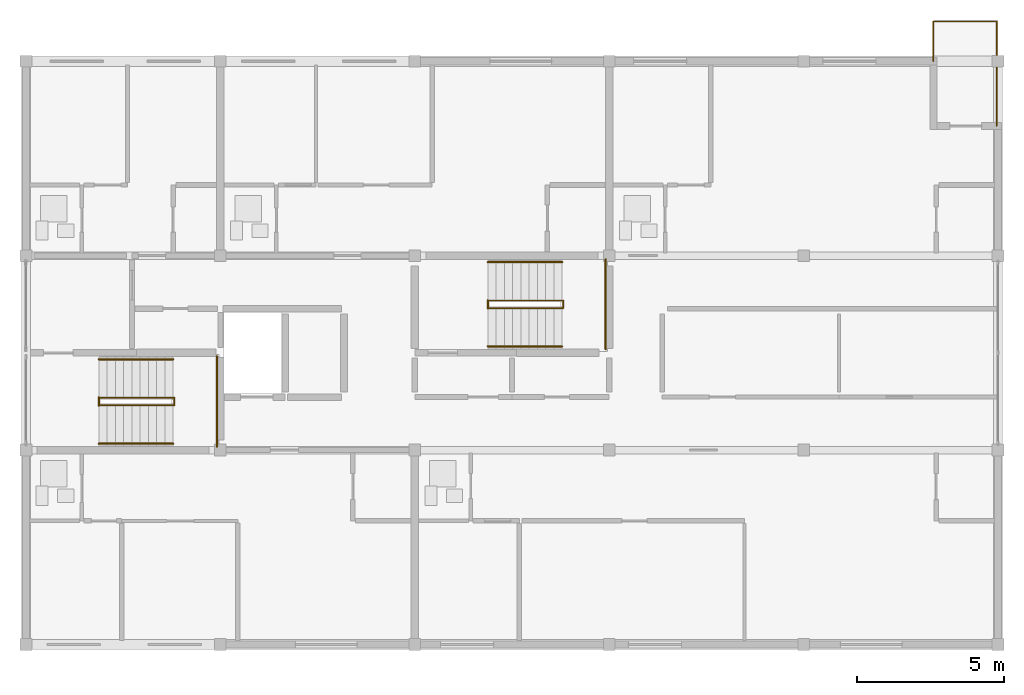
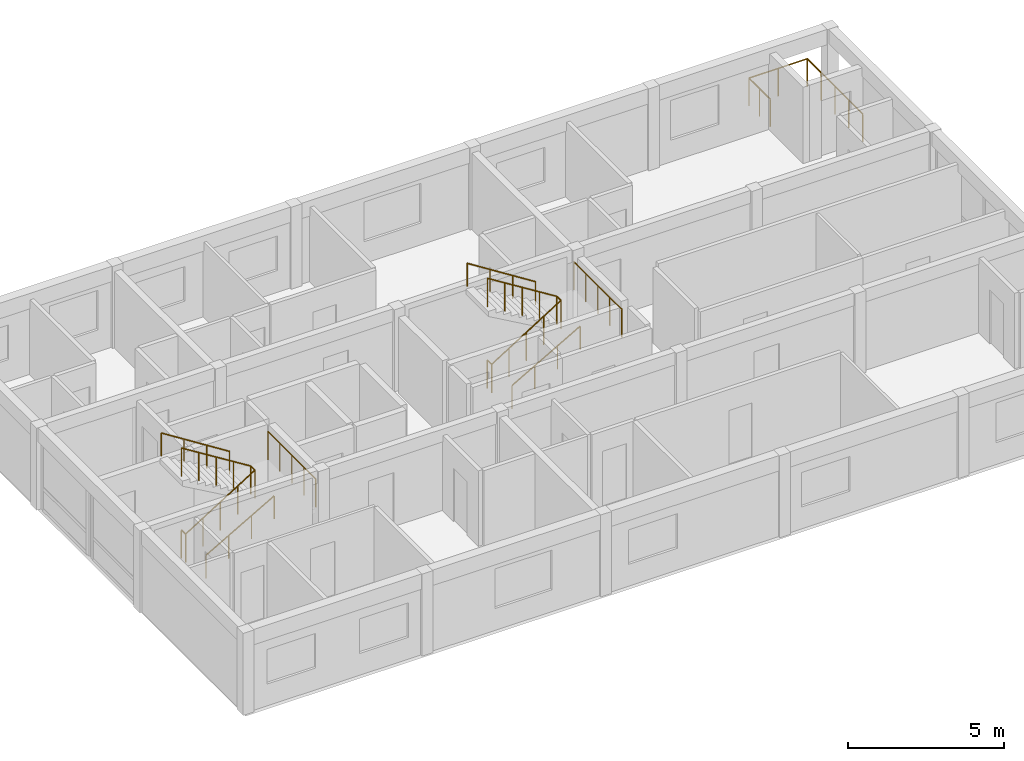
# One storey, part 11 of 12: 11 railings.
"""IFC4 building model written with IfcOpenShell, lengths in metres."""

from ifc_helpers import new_model, si_unit, direction, frame, origin, origin_2d, place, context, subcontext, project, spatial, circle, extrude, material, type_object, element, save


model = new_model("IFC4")

# Units and contexts
model_context = context("Model", 3, precision=1e-05, world=origin(), true_north=direction((0.0, 1.0)))
body_context = subcontext(model_context, "Body", "Model", "MODEL_VIEW")
ifc_project = project(units=[si_unit("LENGTHUNIT", "METRE"), si_unit("AREAUNIT", "SQUARE_METRE"), si_unit("VOLUMEUNIT", "CUBIC_METRE"), si_unit("PLANEANGLEUNIT", "RADIAN"), si_unit("MASSUNIT", "GRAM", prefix="KILO")], contexts=[model_context])

# Site, building, storey
site_placement = place(None, origin())
site = spatial("IfcSite", under=ifc_project, at=site_placement, CompositionType="ELEMENT")
building_placement = place(site_placement, origin())
building = spatial("IfcBuilding", under=site, at=building_placement, Name="Kernevlak Ridge Housing Community", CompositionType="ELEMENT")
storey_placement = place(building_placement, frame((0.0, 0.0, 53.199951171875)))
storey = spatial("IfcBuildingStorey", under=building, at=storey_placement, Name="L16", CompositionType="ELEMENT", Elevation=53.199951171875)

# Railings
ifc_material_1 = material(Name="Steel S355", Category="steel")
railing_type_1 = type_object("IfcRailingType", Name="BL-01", PredefinedType="BALUSTRADE", material=ifc_material_1)
railing_1_placement = place(storey_placement, frame((46.39990234375, 95.800048828125, 0.0)))
element("IfcRailing", 1, at=railing_1_placement, inside=storey, type_object=railing_type_1, Name="Block A L16 balcony balustrade BL-01 16", PredefinedType="BALUSTRADE", context=body_context, shape_type="SweptSolid", body=[
    extrude(circle(Radius=0.02392578125, at=origin_2d()), frame((0.0, 0.0, 1.076171875), z_axis=(0.0, 1.0, 0.0), x_axis=(-1.0, 0.0, 0.0)), (0.0, 0.0, 1.0), 1.349853515625),
    extrude(circle(Radius=0.02392578125, at=origin_2d()), frame((0.0, 1.349853515625, 1.076171875), z_axis=(1.0, 0.0, 0.0), x_axis=(0.0, 1.0, 0.0)), (0.0, 0.0, 1.0), 2.150146484375),
    extrude(circle(Radius=0.02392578125, at=origin_2d()), frame((2.150146484375, 1.349853515625, 1.076171875), z_axis=(0.0, -1.0, 0.0), x_axis=(1.0, 0.0, 0.0)), (0.0, 0.0, 1.0), 3.5498046875),
    extrude(circle(Radius=0.02099609375, at=origin_2d()), origin(), (0.0, 0.0, 1.0), 1.052001953125),
    extrude(circle(Radius=0.02099609375, at=origin_2d()), frame((0.0, 0.6748046875, 0.0)), (0.0, 0.0, 1.0), 1.052001953125),
    extrude(circle(Radius=0.02099609375, at=origin_2d()), frame((0.0, 1.349853515625, 0.0)), (0.0, 0.0, 1.0), 1.052001953125),
    extrude(circle(Radius=0.02099609375, at=origin_2d()), frame((1.0751953125, 1.349853515625, 0.0)), (0.0, 0.0, 1.0), 1.052001953125),
    extrude(circle(Radius=0.02099609375, at=origin_2d()), frame((2.150146484375, 1.349853515625, 0.0)), (0.0, 0.0, 1.0), 1.052001953125),
    extrude(circle(Radius=0.02099609375, at=origin_2d()), frame((2.150146484375, 0.46240234375, 0.0)), (0.0, 0.0, 1.0), 1.052001953125),
    extrude(circle(Radius=0.02099609375, at=origin_2d()), frame((2.150146484375, -0.425048828125, 0.0)), (0.0, 0.0, 1.0), 1.052001953125),
    extrude(circle(Radius=0.02099609375, at=origin_2d()), frame((2.150146484375, -1.3125, 0.0)), (0.0, 0.0, 1.0), 1.052001953125),
    extrude(circle(Radius=0.02099609375, at=origin_2d()), frame((2.150146484375, -2.199951171875, 0.0)), (0.0, 0.0, 1.0), 1.052001953125),
])
railing_type_2 = type_object("IfcRailingType", Name="GR-02", PredefinedType="GUARDRAIL", material=ifc_material_1)
railing_2_placement = place(storey_placement, frame((18.080078125, 84.110107421875, 0.0)))
element("IfcRailing", 2, at=railing_2_placement, inside=storey, type_object=railing_type_2, Name="Stair ST-A1 L16 well slot guard", PredefinedType="GUARDRAIL", context=body_context, shape_type="SweptSolid", body=[
    extrude(circle(Radius=0.02392578125, at=origin_2d()), frame((0.0, 0.0, 1.09619140625), z_axis=(0.0, 1.0, 0.0), x_axis=(-1.0, 0.0, 0.0)), (0.0, 0.0, 1.0), 0.27978515625),
    extrude(circle(Radius=0.02099609375, at=origin_2d()), origin(), (0.0, 0.0, 1.0), 1.072021484375),
    extrude(circle(Radius=0.02099609375, at=origin_2d()), frame((0.0, 0.27978515625, 0.0)), (0.0, 0.0, 1.0), 1.072021484375),
])
railing_3_placement = place(storey_placement, frame((18.080078125, 84.1201171875, 0.0)))
element("IfcRailing", 3, at=railing_3_placement, inside=storey, type_object=railing_type_2, Name="Stair ST-A1 L16 inner well guardrail", PredefinedType="GUARDRAIL", context=body_context, shape_type="SweptSolid", body=[
    extrude(circle(Radius=0.02392578125, at=origin_2d()), frame((0.0, 0.0, 1.09619140625), z_axis=(0.847966497998, 0.0, 0.530049826217), x_axis=(0.0, 1.0, 0.0)), (0.0, 0.0, 1.0), 3.018798828125),
    extrude(circle(Radius=0.02392578125, at=origin_2d()), frame((2.559814453125, 0.0, 2.6962890625), z_axis=(0.0, 1.0, 0.0), x_axis=(-1.0, 0.0, 0.0)), (0.0, 0.0, 1.0), 0.259765625),
    extrude(circle(Radius=0.02392578125, at=origin_2d()), frame((2.559814453125, 0.259765625, 2.6962890625), z_axis=(-0.848002847666, 0.0, 0.529991670077), x_axis=(0.0, -1.0, 0.0)), (0.0, 0.0, 1.0), 3.0185546875),
    extrude(circle(Radius=0.02099609375, at=origin_2d()), origin(), (0.0, 0.0, 1.0), 1.072021484375),
    extrude(circle(Radius=0.02099609375, at=origin_2d()), frame((0.639892578125, 0.0, 0.39990234375)), (0.0, 0.0, 1.0), 1.072021484375),
    extrude(circle(Radius=0.02099609375, at=origin_2d()), frame((1.27978515625, 0.0, 0.800048828125)), (0.0, 0.0, 1.0), 1.072021484375),
    extrude(circle(Radius=0.02099609375, at=origin_2d()), frame((1.919921875, 0.0, 1.2001953125)), (0.0, 0.0, 1.0), 1.072021484375),
    extrude(circle(Radius=0.02099609375, at=origin_2d()), frame((2.559814453125, 0.0, 1.60009765625)), (0.0, 0.0, 1.0), 1.072021484375),
    extrude(circle(Radius=0.02099609375, at=origin_2d()), frame((2.559814453125, 0.259765625, 1.60009765625)), (0.0, 0.0, 1.0), 1.072021484375),
    extrude(circle(Radius=0.02099609375, at=origin_2d()), frame((1.919921875, 0.259765625, 2.0)), (0.0, 0.0, 1.0), 1.072021484375),
    extrude(circle(Radius=0.02099609375, at=origin_2d()), frame((1.27978515625, 0.259765625, 2.39990234375)), (0.0, 0.0, 1.0), 1.072021484375),
    extrude(circle(Radius=0.02099609375, at=origin_2d()), frame((0.639892578125, 0.259765625, 2.800048828125)), (0.0, 0.0, 1.0), 1.072021484375),
    extrude(circle(Radius=0.02099609375, at=origin_2d()), frame((0.0, 0.259765625, 3.199951171875)), (0.0, 0.0, 1.0), 1.072021484375),
])
railing_4_placement = place(storey_placement, frame((22.080078125, 82.719970703125, 1.60009765625)))
element("IfcRailing", 4, at=railing_4_placement, inside=storey, type_object=railing_type_2, Name="Stair ST-A1 L16 half-landing guard", PredefinedType="GUARDRAIL", context=body_context, shape_type="SweptSolid", body=[
    extrude(circle(Radius=0.02392578125, at=origin_2d()), frame((0.0, 0.0, 1.09619140625), z_axis=(0.0, 1.0, 0.0), x_axis=(-1.0, 0.0, 0.0)), (0.0, 0.0, 1.0), 3.06005859375),
    extrude(circle(Radius=0.02099609375, at=origin_2d()), origin(), (0.0, 0.0, 1.0), 1.072021484375),
    extrude(circle(Radius=0.02099609375, at=origin_2d()), frame((0.0, 0.76513671875, 0.0)), (0.0, 0.0, 1.0), 1.072021484375),
    extrude(circle(Radius=0.02099609375, at=origin_2d()), frame((0.0, 1.530029296875, 0.0)), (0.0, 0.0, 1.0), 1.072021484375),
    extrude(circle(Radius=0.02099609375, at=origin_2d()), frame((0.0, 2.294921875, 0.0)), (0.0, 0.0, 1.0), 1.072021484375),
    extrude(circle(Radius=0.02099609375, at=origin_2d()), frame((0.0, 3.06005859375, 0.0)), (0.0, 0.0, 1.0), 1.072021484375),
])
railing_5_placement = place(storey_placement, frame((31.280029296875, 87.409912109375, 0.0)))
element("IfcRailing", 5, at=railing_5_placement, inside=storey, type_object=railing_type_2, Name="Stair ST-A2 L16 well slot guard", PredefinedType="GUARDRAIL", context=body_context, shape_type="SweptSolid", body=[
    extrude(circle(Radius=0.02392578125, at=origin_2d()), frame((0.0, 0.0, 1.09619140625), z_axis=(0.0, 1.0, 0.0), x_axis=(-1.0, 0.0, 0.0)), (0.0, 0.0, 1.0), 0.280029296875),
    extrude(circle(Radius=0.02099609375, at=origin_2d()), origin(), (0.0, 0.0, 1.0), 1.072021484375),
    extrude(circle(Radius=0.02099609375, at=origin_2d()), frame((0.0, 0.280029296875, 0.0)), (0.0, 0.0, 1.0), 1.072021484375),
])
railing_6_placement = place(storey_placement, frame((31.280029296875, 87.419921875, 0.0)))
element("IfcRailing", 6, at=railing_6_placement, inside=storey, type_object=railing_type_2, Name="Stair ST-A2 L16 inner well guardrail", PredefinedType="GUARDRAIL", context=body_context, shape_type="SweptSolid", body=[
    extrude(circle(Radius=0.02392578125, at=origin_2d()), frame((0.0, 0.0, 1.09619140625), z_axis=(0.847989217509, 0.0, 0.530013478119), x_axis=(0.0, 1.0, 0.0)), (0.0, 0.0, 1.0), 3.01904296875),
    extrude(circle(Radius=0.02392578125, at=origin_2d()), frame((2.56005859375, 0.0, 2.6962890625), z_axis=(0.0, 1.0, 0.0), x_axis=(-1.0, 0.0, 0.0)), (0.0, 0.0, 1.0), 0.260009765625),
    extrude(circle(Radius=0.02392578125, at=origin_2d()), frame((2.56005859375, 0.260009765625, 2.6962890625), z_axis=(-0.848025563165, 0.0, 0.529955322851), x_axis=(0.0, -1.0, 0.0)), (0.0, 0.0, 1.0), 3.018798828125),
    extrude(circle(Radius=0.02099609375, at=origin_2d()), origin(), (0.0, 0.0, 1.0), 1.072021484375),
    extrude(circle(Radius=0.02099609375, at=origin_2d()), frame((0.64013671875, 0.0, 0.39990234375)), (0.0, 0.0, 1.0), 1.072021484375),
    extrude(circle(Radius=0.02099609375, at=origin_2d()), frame((1.280029296875, 0.0, 0.800048828125)), (0.0, 0.0, 1.0), 1.072021484375),
    extrude(circle(Radius=0.02099609375, at=origin_2d()), frame((1.919921875, 0.0, 1.2001953125)), (0.0, 0.0, 1.0), 1.072021484375),
    extrude(circle(Radius=0.02099609375, at=origin_2d()), frame((2.56005859375, 0.0, 1.60009765625)), (0.0, 0.0, 1.0), 1.072021484375),
    extrude(circle(Radius=0.02099609375, at=origin_2d()), frame((2.56005859375, 0.260009765625, 1.60009765625)), (0.0, 0.0, 1.0), 1.072021484375),
    extrude(circle(Radius=0.02099609375, at=origin_2d()), frame((1.919921875, 0.260009765625, 2.0)), (0.0, 0.0, 1.0), 1.072021484375),
    extrude(circle(Radius=0.02099609375, at=origin_2d()), frame((1.280029296875, 0.260009765625, 2.39990234375)), (0.0, 0.0, 1.0), 1.072021484375),
    extrude(circle(Radius=0.02099609375, at=origin_2d()), frame((0.64013671875, 0.260009765625, 2.800048828125)), (0.0, 0.0, 1.0), 1.072021484375),
    extrude(circle(Radius=0.02099609375, at=origin_2d()), frame((0.0, 0.260009765625, 3.199951171875)), (0.0, 0.0, 1.0), 1.072021484375),
])
railing_7_placement = place(storey_placement, frame((35.280029296875, 86.02001953125, 1.60009765625)))
element("IfcRailing", 7, at=railing_7_placement, inside=storey, type_object=railing_type_2, Name="Stair ST-A2 L16 half-landing guard", PredefinedType="GUARDRAIL", context=body_context, shape_type="SweptSolid", body=[
    extrude(circle(Radius=0.02392578125, at=origin_2d()), frame((0.0, 0.0, 1.09619140625), z_axis=(0.0, 1.0, 0.0), x_axis=(-1.0, 0.0, 0.0)), (0.0, 0.0, 1.0), 3.06005859375),
    extrude(circle(Radius=0.02099609375, at=origin_2d()), origin(), (0.0, 0.0, 1.0), 1.072021484375),
    extrude(circle(Radius=0.02099609375, at=origin_2d()), frame((0.0, 0.76513671875, 0.0)), (0.0, 0.0, 1.0), 1.072021484375),
    extrude(circle(Radius=0.02099609375, at=origin_2d()), frame((0.0, 1.530029296875, 0.0)), (0.0, 0.0, 1.0), 1.072021484375),
    extrude(circle(Radius=0.02099609375, at=origin_2d()), frame((0.0, 2.294921875, 0.0)), (0.0, 0.0, 1.0), 1.072021484375),
    extrude(circle(Radius=0.02099609375, at=origin_2d()), frame((0.0, 3.06005859375, 0.0)), (0.0, 0.0, 1.0), 1.072021484375),
])
ifc_material_2 = material(Name="Stainless steel EN 1.4401", Category="steel")
railing_type_3 = type_object("IfcRailingType", Name="HR-01", PredefinedType="HANDRAIL", material=ifc_material_2)
railing_8_placement = place(storey_placement, frame((18.080078125, 82.820068359375, 0.16015625)))
element("IfcRailing", 8, at=railing_8_placement, inside=storey, type_object=railing_type_3, Name="Stair ST-A1 L16 flight 1 handrail", PredefinedType="HANDRAIL", context=body_context, shape_type="SweptSolid", body=[
    extrude(circle(Radius=0.02392578125, at=origin_2d()), frame((0.0, 0.0, 0.89599609375), z_axis=(0.868253494771, 0.0, 0.496120820787), x_axis=(0.0, 1.0, 0.0)), (0.0, 0.0, 1.0), 2.90234375),
    extrude(circle(Radius=0.02099609375, at=origin_2d()), origin(), (0.0, 0.0, 1.0), 0.871826171875),
    extrude(circle(Radius=0.02099609375, at=origin_2d()), frame((0.840087890625, 0.0, 0.47998046875)), (0.0, 0.0, 1.0), 0.871826171875),
    extrude(circle(Radius=0.02099609375, at=origin_2d()), frame((1.679931640625, 0.0, 0.9599609375)), (0.0, 0.0, 1.0), 0.871826171875),
    extrude(circle(Radius=0.02099609375, at=origin_2d()), frame((2.52001953125, 0.0, 1.43994140625)), (0.0, 0.0, 1.0), 0.871826171875),
])
railing_9_placement = place(storey_placement, frame((20.60009765625, 85.679931640625, 1.60009765625)))
element("IfcRailing", 9, at=railing_9_placement, inside=storey, type_object=railing_type_3, Name="Stair ST-A1 L16 flight 2 handrail", PredefinedType="HANDRAIL", context=body_context, shape_type="SweptSolid", body=[
    extrude(circle(Radius=0.02392578125, at=origin_2d()), frame((0.0, 0.0, 0.89599609375), z_axis=(-0.84423690053, 0.0, 0.535970200462), x_axis=(0.0, -1.0, 0.0)), (0.0, 0.0, 1.0), 2.98486328125),
    extrude(circle(Radius=0.02099609375, at=origin_2d()), origin(), (0.0, 0.0, 1.0), 0.871826171875),
    extrude(circle(Radius=0.02099609375, at=origin_2d()), frame((-0.840087890625, 0.0, 0.533203125)), (0.0, 0.0, 1.0), 0.871826171875),
    extrude(circle(Radius=0.02099609375, at=origin_2d()), frame((-1.679931640625, 0.0, 1.066650390625)), (0.0, 0.0, 1.0), 0.871826171875),
    extrude(circle(Radius=0.02099609375, at=origin_2d()), frame((-2.52001953125, 0.0, 1.599853515625)), (0.0, 0.0, 1.0), 0.871826171875),
])
railing_10_placement = place(storey_placement, frame((31.280029296875, 86.1201171875, 0.16015625)))
element("IfcRailing", 10, at=railing_10_placement, inside=storey, type_object=railing_type_3, Name="Stair ST-A2 L16 flight 1 handrail", PredefinedType="HANDRAIL", context=body_context, shape_type="SweptSolid", body=[
    extrude(circle(Radius=0.02392578125, at=origin_2d()), frame((0.0, 0.0, 0.89599609375), z_axis=(0.868253494771, 0.0, 0.496120820787), x_axis=(0.0, 1.0, 0.0)), (0.0, 0.0, 1.0), 2.90234375),
    extrude(circle(Radius=0.02099609375, at=origin_2d()), origin(), (0.0, 0.0, 1.0), 0.871826171875),
    extrude(circle(Radius=0.02099609375, at=origin_2d()), frame((0.840087890625, 0.0, 0.47998046875)), (0.0, 0.0, 1.0), 0.871826171875),
    extrude(circle(Radius=0.02099609375, at=origin_2d()), frame((1.679931640625, 0.0, 0.9599609375)), (0.0, 0.0, 1.0), 0.871826171875),
    extrude(circle(Radius=0.02099609375, at=origin_2d()), frame((2.52001953125, 0.0, 1.43994140625)), (0.0, 0.0, 1.0), 0.871826171875),
])
railing_11_placement = place(storey_placement, frame((33.800048828125, 88.97998046875, 1.60009765625)))
element("IfcRailing", 11, at=railing_11_placement, inside=storey, type_object=railing_type_3, Name="Stair ST-A2 L16 flight 2 handrail", PredefinedType="HANDRAIL", context=body_context, shape_type="SweptSolid", body=[
    extrude(circle(Radius=0.02392578125, at=origin_2d()), frame((0.0, 0.0, 0.89599609375), z_axis=(-0.84423690053, 0.0, 0.535970200462), x_axis=(0.0, -1.0, 0.0)), (0.0, 0.0, 1.0), 2.98486328125),
    extrude(circle(Radius=0.02099609375, at=origin_2d()), origin(), (0.0, 0.0, 1.0), 0.871826171875),
    extrude(circle(Radius=0.02099609375, at=origin_2d()), frame((-0.840087890625, 0.0, 0.533203125)), (0.0, 0.0, 1.0), 0.871826171875),
    extrude(circle(Radius=0.02099609375, at=origin_2d()), frame((-1.679931640625, 0.0, 1.066650390625)), (0.0, 0.0, 1.0), 0.871826171875),
    extrude(circle(Radius=0.02099609375, at=origin_2d()), frame((-2.52001953125, 0.0, 1.599853515625)), (0.0, 0.0, 1.0), 0.871826171875),
])

save(model, "model.ifc")
